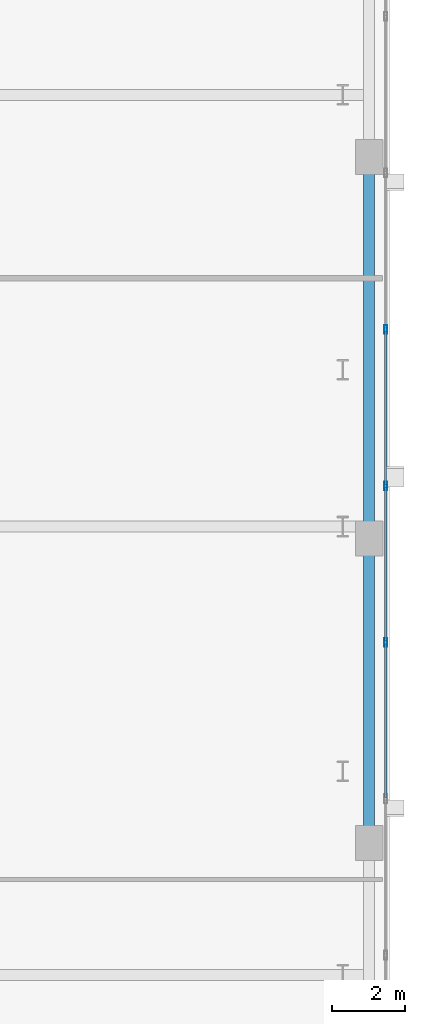
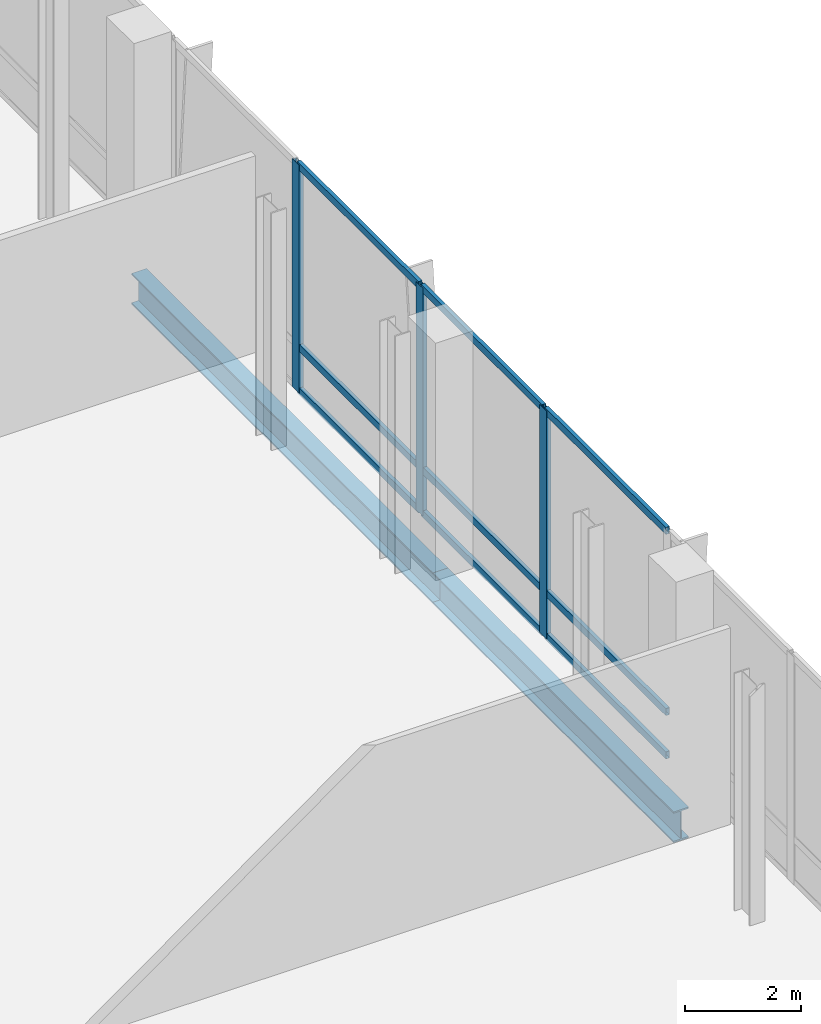
# One storey, part 15 of 25: 12 members, 2 beams, 1 element without a shape of its own.
"""IFC4 building model written with IfcOpenShell, lengths in metres."""

from ifc_helpers import new_model, si_unit, direction, frame, origin, origin_2d, place, context, subcontext, project, spatial, hollow_rectangle, i_section, extrude, material, material_profile, profile_set, type_object, element, aggregate, save


model = new_model("IFC4")

# Units and contexts
model_context = context("Model", 3, precision=1e-05, world=origin(), true_north=direction((0.0, 1.0)))
body_context = subcontext(model_context, "Body", "Model", "MODEL_VIEW")
ifc_project = project(units=[si_unit("LENGTHUNIT", "METRE"), si_unit("AREAUNIT", "SQUARE_METRE"), si_unit("VOLUMEUNIT", "CUBIC_METRE"), si_unit("PLANEANGLEUNIT", "RADIAN"), si_unit("MASSUNIT", "GRAM", prefix="KILO")], contexts=[model_context])

# Site, building, storey
site_placement = place(None, origin())
site = spatial("IfcSite", under=ifc_project, at=site_placement, CompositionType="ELEMENT")
building_placement = place(site_placement, origin())
building = spatial("IfcBuilding", under=site, at=building_placement, Name="Khoronbel Lancet Exchange", CompositionType="ELEMENT")
storey_placement = place(building_placement, frame((0.0, 0.0, 10.39990234375)))
storey = spatial("IfcBuildingStorey", under=building, at=storey_placement, Name="L02", CompositionType="ELEMENT", Elevation=10.39990234375)

# Beams
ifc_material_1 = material(Name="Steel S355", Category="steel")
ifc_material_profile_1 = material_profile(ifc_material_1, i_section(OverallWidth=0.300048828125, OverallDepth=0.64990234375, WebThickness=0.01611328125, FlangeThickness=0.031005859375, at=origin_2d()), Name="HEB 650")
ifc_profile_set_1 = profile_set([ifc_material_profile_1], Name="Steel S355")
beam_type = type_object("IfcBeamType", Name="BM-BSP1", PredefinedType="SPANDREL", material=ifc_profile_set_1)
beam_1_placement = place(storey_placement, frame((72.35009765625, 22.800048828125, -0.52490234375), z_axis=(0.0, 1.0, 0.0), x_axis=(-1.0, 0.0, 0.0)))
element("IfcBeam", 1, at=beam_1_placement, inside=storey, type_object=beam_type, Name="Level L02 perimeter spandrel beam SP10", PredefinedType="SPANDREL", context=body_context, shape_type="SweptSolid", body=[
    extrude(i_section(OverallWidth=0.300048828125, OverallDepth=0.64990234375, WebThickness=0.01611328125, FlangeThickness=0.031005859375, at=origin_2d()), origin(), (0.0, 0.0, 1.0), 8.300048828125),
])
beam_2_placement = place(storey_placement, frame((72.35009765625, 31.10009765625, -0.52490234375), z_axis=(0.0, 1.0, 0.0), x_axis=(-1.0, 0.0, 0.0)))
element("IfcBeam", 2, at=beam_2_placement, inside=storey, type_object=beam_type, Name="Level L02 perimeter spandrel beam SP11", PredefinedType="SPANDREL", context=body_context, shape_type="SweptSolid", body=[
    extrude(i_section(OverallWidth=0.300048828125, OverallDepth=0.64990234375, WebThickness=0.01611328125, FlangeThickness=0.031005859375, at=origin_2d()), origin(), (0.0, 0.0, 1.0), 10.39990234375),
])

# Curtain wall, members
ifc_material_2 = material(Name="Low-E Solar Control Insulating Glass", Category="glass")
curtain_wall_type = type_object("IfcCurtainWallType", Name="CW-5", PredefinedType="NOTDEFINED", material=ifc_material_2)
curtain_wall_placement = place(storey_placement, origin())
curtain_wall = element("IfcCurtainWall", 3, at=curtain_wall_placement, inside=storey, type_object=curtain_wall_type, Name="Unitised curtain wall CW-L02-EAST", PredefinedType="NOTDEFINED")
ifc_material_3 = material(Name="Bronze-Anodised Aluminium 6063-T6", Category="aluminium")
ifc_material_profile_2 = material_profile(ifc_material_3, hollow_rectangle(XDim=0.0849609375, YDim=0.239990234375, WallThickness=0.006103515625, at=origin_2d()), Name="ALU MULLION 85x240")
ifc_profile_set_2 = profile_set([ifc_material_profile_2], Name="Bronze-Anodised Aluminium 6063-T6")
member_type_1 = type_object("IfcMemberType", Name="MEM-CWM1", PredefinedType="MULLION", material=ifc_profile_set_2)
member_1_placement = place(storey_placement, frame((72.800048828125, 28.2666015625, 0.0), z_axis=(0.0, 0.0, 1.0), x_axis=(-1.0, 0.0, 0.0)))
member_1 = element("IfcMember", 4, at=member_1_placement, type_object=member_type_1, Name="CW5 mullion 5", PredefinedType="MULLION", context=body_context, shape_type="SweptSolid", body=[
    extrude(hollow_rectangle(XDim=0.0849609375, YDim=0.239990234375, WallThickness=0.006103515625, at=origin_2d()), origin(), (0.0, 0.0, 1.0), 4.800048828125),
])
member_2_placement = place(storey_placement, frame((72.800048828125, 32.533447265625, 0.0), z_axis=(0.0, 0.0, 1.0), x_axis=(-1.0, 0.0, 0.0)))
member_2 = element("IfcMember", 5, at=member_2_placement, type_object=member_type_1, Name="CW5 mullion 6", PredefinedType="MULLION", context=body_context, shape_type="SweptSolid", body=[
    extrude(hollow_rectangle(XDim=0.0849609375, YDim=0.239990234375, WallThickness=0.006103515625, at=origin_2d()), origin(), (0.0, 0.0, 1.0), 4.800048828125),
])
member_3_placement = place(storey_placement, frame((72.800048828125, 36.800048828125, 0.0), z_axis=(0.0, 0.0, 1.0), x_axis=(-1.0, 0.0, 0.0)))
member_3 = element("IfcMember", 6, at=member_3_placement, type_object=member_type_1, Name="CW5 mullion 7", PredefinedType="MULLION", context=body_context, shape_type="SweptSolid", body=[
    extrude(hollow_rectangle(XDim=0.0849609375, YDim=0.239990234375, WallThickness=0.006103515625, at=origin_2d()), origin(), (0.0, 0.0, 1.0), 4.800048828125),
])
ifc_material_profile_3 = material_profile(ifc_material_3, hollow_rectangle(XDim=0.074951171875, YDim=0.14990234375, WallThickness=0.00439453125, at=origin_2d()), Name="ALU TRANSOM 75x150")
ifc_profile_set_3 = profile_set([ifc_material_profile_3], Name="Bronze-Anodised Aluminium 6063-T6")
member_type_2 = type_object("IfcMemberType", Name="MEM-CWT2", PredefinedType="USERDEFINED", material=ifc_profile_set_3)
member_4_placement = place(storey_placement, frame((72.800048828125, 24.04248046875, 0.03759765625), z_axis=(0.0, 1.0, 0.0), x_axis=(-1.0, 0.0, 0.0)))
member_4 = element("IfcMember", 7, at=member_4_placement, type_object=member_type_2, Name="CW5 transom 4.1", ObjectType="TRANSOM", PredefinedType="USERDEFINED", context=body_context, shape_type="SweptSolid", body=[
    extrude(hollow_rectangle(XDim=0.074951171875, YDim=0.14990234375, WallThickness=0.00439453125, at=origin_2d()), origin(), (0.0, 0.0, 1.0), 4.181640625),
])
member_5_placement = place(storey_placement, frame((72.800048828125, 24.04248046875, 0.9501953125), z_axis=(0.0, 1.0, 0.0), x_axis=(-1.0, 0.0, 0.0)))
member_5 = element("IfcMember", 8, at=member_5_placement, type_object=member_type_2, Name="CW5 transom 4.2", ObjectType="TRANSOM", PredefinedType="USERDEFINED", context=body_context, shape_type="SweptSolid", body=[
    extrude(hollow_rectangle(XDim=0.074951171875, YDim=0.14990234375, WallThickness=0.00439453125, at=origin_2d()), origin(), (0.0, 0.0, 1.0), 4.181640625),
])
member_6_placement = place(storey_placement, frame((72.800048828125, 24.04248046875, 4.7626953125), z_axis=(0.0, 1.0, 0.0), x_axis=(-1.0, 0.0, 0.0)))
member_6 = element("IfcMember", 9, at=member_6_placement, type_object=member_type_2, Name="CW5 transom 4.3", ObjectType="TRANSOM", PredefinedType="USERDEFINED", context=body_context, shape_type="SweptSolid", body=[
    extrude(hollow_rectangle(XDim=0.074951171875, YDim=0.14990234375, WallThickness=0.00439453125, at=origin_2d()), origin(), (0.0, 0.0, 1.0), 4.181640625),
])
member_7_placement = place(storey_placement, frame((72.800048828125, 28.30908203125, 0.03759765625), z_axis=(0.0, 1.0, 0.0), x_axis=(-1.0, 0.0, 0.0)))
member_7 = element("IfcMember", 10, at=member_7_placement, type_object=member_type_2, Name="CW5 transom 5.1", ObjectType="TRANSOM", PredefinedType="USERDEFINED", context=body_context, shape_type="SweptSolid", body=[
    extrude(hollow_rectangle(XDim=0.074951171875, YDim=0.14990234375, WallThickness=0.00439453125, at=origin_2d()), origin(), (0.0, 0.0, 1.0), 4.181640625),
])
member_8_placement = place(storey_placement, frame((72.800048828125, 28.30908203125, 0.9501953125), z_axis=(0.0, 1.0, 0.0), x_axis=(-1.0, 0.0, 0.0)))
member_8 = element("IfcMember", 11, at=member_8_placement, type_object=member_type_2, Name="CW5 transom 5.2", ObjectType="TRANSOM", PredefinedType="USERDEFINED", context=body_context, shape_type="SweptSolid", body=[
    extrude(hollow_rectangle(XDim=0.074951171875, YDim=0.14990234375, WallThickness=0.00439453125, at=origin_2d()), origin(), (0.0, 0.0, 1.0), 4.181640625),
])
member_9_placement = place(storey_placement, frame((72.800048828125, 28.30908203125, 4.7626953125), z_axis=(0.0, 1.0, 0.0), x_axis=(-1.0, 0.0, 0.0)))
member_9 = element("IfcMember", 12, at=member_9_placement, type_object=member_type_2, Name="CW5 transom 5.3", ObjectType="TRANSOM", PredefinedType="USERDEFINED", context=body_context, shape_type="SweptSolid", body=[
    extrude(hollow_rectangle(XDim=0.074951171875, YDim=0.14990234375, WallThickness=0.00439453125, at=origin_2d()), origin(), (0.0, 0.0, 1.0), 4.181640625),
])
member_10_placement = place(storey_placement, frame((72.800048828125, 32.575927734375, 0.03759765625), z_axis=(0.0, 1.0, 0.0), x_axis=(-1.0, 0.0, 0.0)))
member_10 = element("IfcMember", 13, at=member_10_placement, type_object=member_type_2, Name="CW5 transom 6.1", ObjectType="TRANSOM", PredefinedType="USERDEFINED", context=body_context, shape_type="SweptSolid", body=[
    extrude(hollow_rectangle(XDim=0.074951171875, YDim=0.14990234375, WallThickness=0.00439453125, at=origin_2d()), origin(), (0.0, 0.0, 1.0), 4.181640625),
])
member_11_placement = place(storey_placement, frame((72.800048828125, 32.575927734375, 0.9501953125), z_axis=(0.0, 1.0, 0.0), x_axis=(-1.0, 0.0, 0.0)))
member_11 = element("IfcMember", 14, at=member_11_placement, type_object=member_type_2, Name="CW5 transom 6.2", ObjectType="TRANSOM", PredefinedType="USERDEFINED", context=body_context, shape_type="SweptSolid", body=[
    extrude(hollow_rectangle(XDim=0.074951171875, YDim=0.14990234375, WallThickness=0.00439453125, at=origin_2d()), origin(), (0.0, 0.0, 1.0), 4.181640625),
])
member_12_placement = place(storey_placement, frame((72.800048828125, 32.575927734375, 4.7626953125), z_axis=(0.0, 1.0, 0.0), x_axis=(-1.0, 0.0, 0.0)))
member_12 = element("IfcMember", 15, at=member_12_placement, type_object=member_type_2, Name="CW5 transom 6.3", ObjectType="TRANSOM", PredefinedType="USERDEFINED", context=body_context, shape_type="SweptSolid", body=[
    extrude(hollow_rectangle(XDim=0.074951171875, YDim=0.14990234375, WallThickness=0.00439453125, at=origin_2d()), origin(), (0.0, 0.0, 1.0), 4.181640625),
])
aggregate(curtain_wall, [member_1, member_2, member_3, member_4, member_5, member_6, member_7, member_8, member_9, member_10, member_11, member_12])

save(model, "model.ifc")
